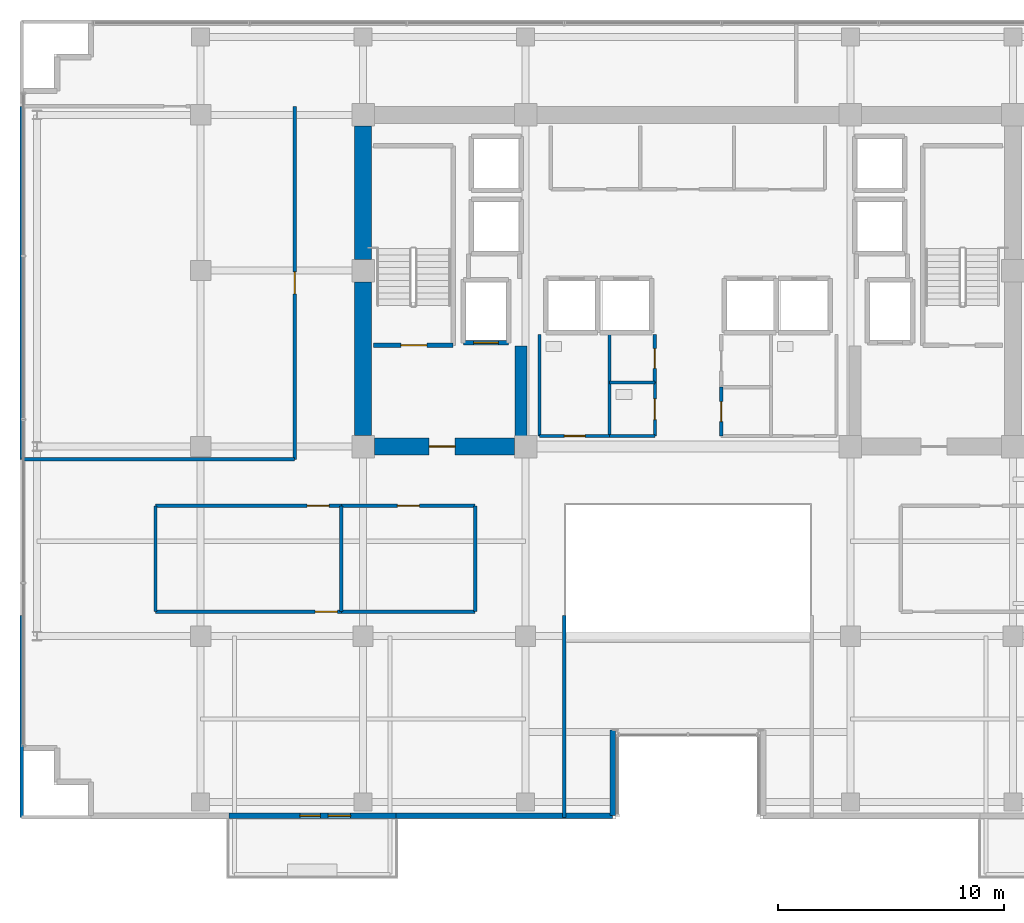
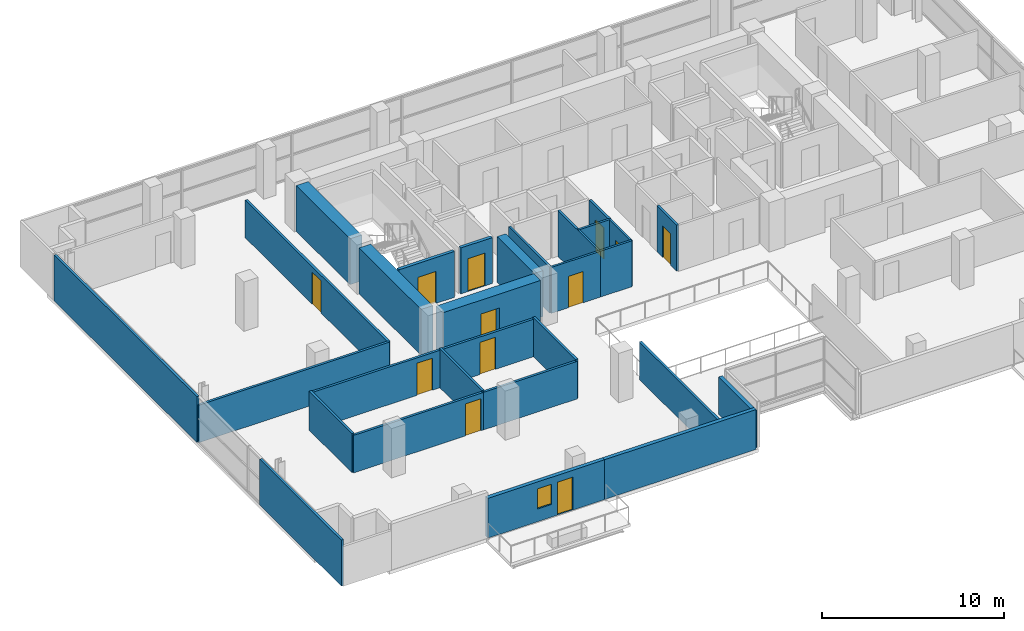
# One storey, part 19 of 25: 29 walls, 12 doors, 1 window, 13 openings.
"""IFC4 building model written with IfcOpenShell, lengths in metres."""

from ifc_helpers import new_model, si_unit, direction, frame, frame_2d, origin, place, context, subcontext, project, spatial, rectangle, extrude, source, transform, mapped, material, layer, layer_set, type_object, element, fill, save


model = new_model("IFC4")

# Units and contexts
model_context = context("Model", 3, precision=1e-05, world=origin(), true_north=direction((0.0, 1.0)))
body_context = subcontext(model_context, "Body", "Model", "MODEL_VIEW")
ifc_project = project(units=[si_unit("LENGTHUNIT", "METRE"), si_unit("AREAUNIT", "SQUARE_METRE"), si_unit("VOLUMEUNIT", "CUBIC_METRE"), si_unit("PLANEANGLEUNIT", "RADIAN"), si_unit("MASSUNIT", "GRAM", prefix="KILO")], contexts=[model_context])

# Site, building, storey
site_placement = place(None, origin())
site = spatial("IfcSite", under=ifc_project, at=site_placement, CompositionType="ELEMENT")
building_placement = place(site_placement, origin())
building = spatial("IfcBuilding", under=site, at=building_placement, Name="Zarnakvel Exchange Tower", CompositionType="ELEMENT")
storey_placement = place(building_placement, frame((0.0, 0.0, 93.39990234375)))
storey = spatial("IfcBuildingStorey", under=building, at=storey_placement, Name="L25", CompositionType="ELEMENT", Elevation=93.39990234375)

# Walls
ifc_material_1 = material(Name="Concrete C60/75", Category="concrete")
ifc_layer_1 = layer(ifc_material_1, 0.75)
ifc_layer_set_1 = layer_set([ifc_layer_1], Name="Concrete C60/75")
wall_type_1 = type_object("IfcWallType", Name="CW-C3", PredefinedType="SHEAR", material=ifc_layer_set_1)
wall_1_placement = place(storey_placement, frame((-14.39990234375, -0.699951171875, 0.0), z_axis=(0.0, 0.0, 1.0), x_axis=(0.0, 1.0, 0.0)))
element("IfcWall", 1, at=wall_1_placement, inside=storey, type_object=wall_type_1, Name="L25 Rear Core Shear Wall W1 (CW-C3)", PredefinedType="SHEAR", context=body_context, shape_type="SweptSolid", body=[
    extrude(rectangle(XDim=6.800048828125, YDim=0.75, at=frame_2d((3.39990234375, 0.0))), origin(), (0.0, 0.0, 1.0), 3.0751953125),
])
wall_2_placement = place(storey_placement, frame((-14.39990234375, 7.10009765625, 0.0), z_axis=(0.0, 0.0, 1.0), x_axis=(0.0, 1.0, 0.0)))
element("IfcWall", 2, at=wall_2_placement, inside=storey, type_object=wall_type_1, Name="L25 Rear Core Shear Wall W2 (CW-C3)", PredefinedType="SHEAR", context=body_context, shape_type="SweptSolid", body=[
    extrude(rectangle(XDim=5.89990234375, YDim=0.75, at=frame_2d((2.949951171875, 0.0))), origin(), (0.0, 0.0, 1.0), 3.0751953125),
])

# Wall, opening, door
wall_3_placement = place(storey_placement, frame((-7.699951171875, -1.199951171875, 0.0), z_axis=(0.0, 0.0, 1.0), x_axis=(-1.0, 0.0, 0.0)))
wall_3 = element("IfcWall", 3, at=wall_3_placement, inside=storey, type_object=wall_type_1, Name="L25 Rear Core Shear Wall SW (CW-C3)", PredefinedType="SHEAR", context=body_context, shape_type="SweptSolid", body=[
    extrude(rectangle(XDim=6.199951171875, YDim=0.75, at=frame_2d((3.10009765625, 0.0))), origin(), (0.0, 0.0, 1.0), 3.0751953125),
])
opening_1_placement = place(wall_3_placement, frame((2.625, 0.0, 0.0)))
opening_1 = element("IfcOpeningElement", 4, at=opening_1_placement, cuts=wall_3, Name="Opening D-L25-03", PredefinedType="OPENING", context=body_context, shape_type="SweptSolid", body=[
    extrude(rectangle(XDim=1.14990234375, YDim=2.14990234375, at=frame_2d((0.574951171875, 1.074951171875))), frame((0.0, 0.385009765625, 0.0), z_axis=(0.0, -1.0, 0.0), x_axis=(1.0, 0.0, 0.0)), (0.0, 0.0, 1.0), 0.77001953125),
])
ifc_material_2 = material(Name="Painted Galvanised Steel S355", Category="steel")
door_type_1 = type_object("IfcDoorType", Name="DT-04", OperationType="NOTDEFINED", PredefinedType="DOOR", material=ifc_material_2)
shared_shape_1 = source(origin(), body_context, "Body", "SweptSolid", [
    extrude(rectangle(XDim=1.14990234375, YDim=2.14990234375, at=frame_2d((0.574951171875, 1.074951171875))), frame((0.0, 0.02490234375, 0.0), z_axis=(0.0, -1.0, 0.0), x_axis=(1.0, 0.0, 0.0)), (0.0, 0.0, 1.0), 0.050048828125),
])
door_1_placement = place(opening_1_placement, origin())
door_1 = element("IfcDoor", 5, at=door_1_placement, inside=storey, type_object=door_type_1, Name="L25 Firefighting Lobby West Door D-L25-03", OperationType="SINGLE_SWING_RIGHT", OverallHeight=2.14990234375, OverallWidth=1.14990234375, PredefinedType="DOOR", context=body_context, shape_type="MappedRepresentation", body=[
    mapped(shared_shape_1, transform((0.0, 0.0, 0.0), x_axis=(1.0, 0.0, 0.0), y_axis=(0.0, 1.0, 0.0), z_axis=(0.0, 0.0, 1.0), scale=1.0)),
])
fill(opening_1, door_1)

# Wall
ifc_layer_2 = layer(ifc_material_1, 0.550048828125)
ifc_layer_set_2 = layer_set([ifc_layer_2], Name="Concrete C60/75")
wall_type_2 = type_object("IfcWallType", Name="CW-C4", PredefinedType="SHEAR", material=ifc_layer_set_2)
wall_4_placement = place(storey_placement, frame((-7.39990234375, -0.824951171875, 0.0), z_axis=(0.0, 0.0, 1.0), x_axis=(0.0, 1.0, 0.0)))
element("IfcWall", 6, at=wall_4_placement, inside=storey, type_object=wall_type_2, Name="L25 Rear Core Shear Wall IW (CW-C4)", PredefinedType="SHEAR", context=body_context, shape_type="SweptSolid", body=[
    extrude(rectangle(XDim=4.074951171875, YDim=0.550048828125, at=frame_2d((2.03759765625, 0.0))), origin(), (0.0, 0.0, 1.0), 3.0751953125),
])

# Wall, openings, door, window
ifc_material_3 = material(Name="Precast concrete C40/50", Category="concrete")
ifc_layer_3 = layer(ifc_material_3, 0.239990234375)
ifc_layer_set_3 = layer_set([ifc_layer_3], Name="Precast concrete C40/50")
wall_type_3 = type_object("IfcWallType", Name="EW-02", PredefinedType="SOLIDWALL", material=ifc_layer_set_3)
wall_5_placement = place(storey_placement, frame((-12.949951171875, -17.56005859375, 0.0), z_axis=(0.0, 0.0, 1.0), x_axis=(-1.0, 0.0, 0.0)))
wall_5 = element("IfcWall", 7, at=wall_5_placement, inside=storey, type_object=wall_type_3, Name="L25 Exterior Precast Spandrel Wall EW-BAL-L25-SW (EW-02)", PredefinedType="SOLIDWALL", context=body_context, shape_type="SweptSolid", body=[
    extrude(rectangle(XDim=7.400146484375, YDim=0.239990234375, at=frame_2d((3.7001953125, 0.0))), origin(), (0.0, 0.0, 1.0), 2.6650390625),
])
opening_2_placement = place(wall_5_placement, frame((1.998046875, 0.0, 0.0)))
opening_2 = element("IfcOpeningElement", 8, at=opening_2_placement, cuts=wall_5, Name="Opening BD-L25-01", PredefinedType="OPENING", context=body_context, shape_type="SweptSolid", body=[
    extrude(rectangle(XDim=1.0, YDim=2.199951171875, at=frame_2d((0.5, 1.10009765625))), frame((0.0, 0.1298828125, 0.0), z_axis=(0.0, -1.0, 0.0), x_axis=(1.0, 0.0, 0.0)), (0.0, 0.0, 1.0), 0.260009765625),
])
opening_3_placement = place(wall_5_placement, frame((3.347900390625, 0.0, 0.85009765625)))
opening_3 = element("IfcOpeningElement", 9, at=opening_3_placement, cuts=wall_5, Name="Opening WN-06", PredefinedType="OPENING", context=body_context, shape_type="SweptSolid", body=[
    extrude(rectangle(XDim=0.89990234375, YDim=1.35009765625, at=frame_2d((0.449951171875, 0.675048828125))), frame((0.0, 0.1298828125, 0.0), z_axis=(0.0, -1.0, 0.0), x_axis=(1.0, 0.0, 0.0)), (0.0, 0.0, 1.0), 0.260009765625),
])
ifc_material_4 = material(Name="Architectural Bronze Anodised Aluminium", Category="aluminium")
door_type_2 = type_object("IfcDoorType", Name="DT-09", OperationType="NOTDEFINED", PredefinedType="DOOR", material=ifc_material_4)
shared_shape_2 = source(origin(), body_context, "Body", "SweptSolid", [
    extrude(rectangle(XDim=1.0, YDim=2.199951171875, at=frame_2d((0.5, 1.10009765625))), frame((0.0, 0.02490234375, 0.0), z_axis=(0.0, -1.0, 0.0), x_axis=(1.0, 0.0, 0.0)), (0.0, 0.0, 1.0), 0.050048828125),
])
door_2_placement = place(opening_2_placement, origin())
door_2 = element("IfcDoor", 10, at=door_2_placement, inside=storey, type_object=door_type_2, Name="L25 Planted Loggia Balcony Door BD-L25-01", OperationType="SINGLE_SWING_LEFT", OverallHeight=2.199951171875, OverallWidth=1.0, PredefinedType="DOOR", context=body_context, shape_type="MappedRepresentation", body=[
    mapped(shared_shape_2, transform((0.0, 0.0, 0.0), x_axis=(1.0, 0.0, 0.0), y_axis=(0.0, 1.0, 0.0), z_axis=(0.0, 0.0, 1.0), scale=1.0)),
])
fill(opening_2, door_2)
ifc_material_5 = material(Name="Double Low-E Laminated Vision Glass", Category="glass")
window_type = type_object("IfcWindowType", Name="WN-06", PartitioningType="SINGLE_PANEL", PredefinedType="WINDOW", material=ifc_material_5)
shared_shape_3 = source(origin(), body_context, "Body", "SweptSolid", [
    extrude(rectangle(XDim=0.89990234375, YDim=1.35009765625, at=frame_2d((0.449951171875, 0.675048828125))), frame((0.0, 0.030029296875, 0.0), z_axis=(0.0, -1.0, 0.0), x_axis=(1.0, 0.0, 0.0)), (0.0, 0.0, 1.0), 0.06005859375),
])
window_placement = place(opening_3_placement, origin())
window = element("IfcWindow", 11, at=window_placement, inside=storey, type_object=window_type, Name="L25 Loggia Daylight Window (WN-06)", OverallHeight=1.35009765625, OverallWidth=0.89990234375, PartitioningType="SINGLE_PANEL", PredefinedType="WINDOW", context=body_context, shape_type="MappedRepresentation", body=[
    mapped(shared_shape_3, transform((0.0, 0.0, 0.0), x_axis=(1.0, 0.0, 0.0), y_axis=(0.0, 1.0, 0.0), z_axis=(0.0, 0.0, 1.0), scale=1.0)),
])
fill(opening_3, window)

# Walls
wall_6_placement = place(storey_placement, frame((-3.340087890625, -17.56005859375, 0.0), z_axis=(0.0, 0.0, 1.0), x_axis=(0.0, 1.0, 0.0)))
element("IfcWall", 12, at=wall_6_placement, inside=storey, type_object=wall_type_3, Name="L25 Exterior Precast Spandrel Wall EWC-L25-20 (EW-02)", PredefinedType="SOLIDWALL", context=body_context, shape_type="SweptSolid", body=[
    extrude(rectangle(XDim=3.800048828125, YDim=0.239990234375, at=frame_2d((1.89990234375, 0.0))), origin(), (0.0, 0.0, 1.0), 2.51513671875),
])
wall_7_placement = place(storey_placement, frame((-12.949951171875, -17.56005859375, 0.0), z_axis=(0.0, 0.0, 1.0), x_axis=(1.0, 0.0, 0.0)))
element("IfcWall", 13, at=wall_7_placement, inside=storey, type_object=wall_type_3, Name="L25 Exterior Precast Spandrel Wall EWC-L25-21 (EW-02)", PredefinedType="SOLIDWALL", context=body_context, shape_type="SweptSolid", body=[
    extrude(rectangle(XDim=9.60986328125, YDim=0.239990234375, at=frame_2d((4.804931640625, 0.0))), origin(), (0.0, 0.0, 1.0), 2.6650390625),
])

# Wall, opening, door
ifc_material_6 = material(Name="Fire-Rated Gypsum Stud Partition", Category="gypsum")
ifc_layer_4 = layer(ifc_material_6, 0.14990234375)
ifc_layer_set_4 = layer_set([ifc_layer_4], Name="Fire-Rated Gypsum Stud Partition")
wall_type_4 = type_object("IfcWallType", Name="PT-01", PredefinedType="PARTITIONING", material=ifc_layer_set_4)
wall_8_placement = place(storey_placement, frame((-1.469970703125, 3.760009765625, 0.0), z_axis=(0.0, 0.0, 1.0), x_axis=(0.0, -1.0, 0.0)))
wall_8 = element("IfcWall", 14, at=wall_8_placement, inside=storey, type_object=wall_type_4, Name="L25 Partition Wall PWALL-L25-024 (PT-01)", PredefinedType="PARTITIONING", context=body_context, shape_type="SweptSolid", body=[
    extrude(rectangle(XDim=2.130126953125, YDim=0.14990234375, at=frame_2d((1.06494140625, 0.0))), origin(), (0.0, 0.0, 1.0), 3.0751953125),
])
opening_4_placement = place(wall_8_placement, frame((0.6201171875, 0.0, 0.0)))
opening_4 = element("IfcOpeningElement", 15, at=opening_4_placement, cuts=wall_8, Name="Opening D-L25-10", PredefinedType="OPENING", context=body_context, shape_type="SweptSolid", body=[
    extrude(rectangle(XDim=0.8798828125, YDim=2.10009765625, at=frame_2d((0.43994140625, 1.050048828125))), frame((0.0, 0.0849609375, 0.0), z_axis=(0.0, -1.0, 0.0), x_axis=(1.0, 0.0, 0.0)), (0.0, 0.0, 1.0), 0.169921875),
])
door_type_3 = type_object("IfcDoorType", Name="DT-08", OperationType="NOTDEFINED", PredefinedType="DOOR", material=ifc_material_2)
shared_shape_4 = source(origin(), body_context, "Body", "SweptSolid", [
    extrude(rectangle(XDim=0.8798828125, YDim=2.10009765625, at=frame_2d((0.43994140625, 1.050048828125))), frame((0.0, 0.02490234375, 0.0), z_axis=(0.0, -1.0, 0.0), x_axis=(1.0, 0.0, 0.0)), (0.0, 0.0, 1.0), 0.050048828125),
])
door_3_placement = place(opening_4_placement, origin())
door_3 = element("IfcDoor", 16, at=door_3_placement, inside=storey, type_object=door_type_3, Name="L25 Core Comms Room Door D-L25-10", OperationType="SINGLE_SWING_LEFT", OverallHeight=2.10009765625, OverallWidth=0.8798828125, PredefinedType="DOOR", context=body_context, shape_type="MappedRepresentation", body=[
    mapped(shared_shape_4, transform((0.0, 0.0, 0.0), x_axis=(1.0, 0.0, 0.0), y_axis=(0.0, 1.0, 0.0), z_axis=(0.0, 0.0, 1.0), scale=1.0)),
])
fill(opening_4, door_3)

wall_9_placement = place(storey_placement, frame((1.469970703125, -0.72998046875, 0.0), z_axis=(0.0, 0.0, 1.0), x_axis=(0.0, 1.0, 0.0)))
wall_9 = element("IfcWall", 17, at=wall_9_placement, inside=storey, type_object=wall_type_4, Name="L25 Partition Wall PWALL-L25-027 (PT-01)", PredefinedType="PARTITIONING", context=body_context, shape_type="SweptSolid", body=[
    extrude(rectangle(XDim=2.159912109375, YDim=0.14990234375, at=frame_2d((1.080078125, 0.0))), origin(), (0.0, 0.0, 1.0), 3.0751953125),
])
opening_5_placement = place(wall_9_placement, frame((0.639892578125, 0.0, 0.0)))
opening_5 = element("IfcOpeningElement", 18, at=opening_5_placement, cuts=wall_9, Name="Opening D-L25-11", PredefinedType="OPENING", context=body_context, shape_type="SweptSolid", body=[
    extrude(rectangle(XDim=0.8798828125, YDim=2.10009765625, at=frame_2d((0.43994140625, 1.050048828125))), frame((0.0, 0.0849609375, 0.0), z_axis=(0.0, -1.0, 0.0), x_axis=(1.0, 0.0, 0.0)), (0.0, 0.0, 1.0), 0.169921875),
])
door_4_placement = place(opening_5_placement, origin())
door_4 = element("IfcDoor", 19, at=door_4_placement, inside=storey, type_object=door_type_3, Name="L25 Janitor Store Door D-L25-11", OperationType="SINGLE_SWING_RIGHT", OverallHeight=2.10009765625, OverallWidth=0.8798828125, PredefinedType="DOOR", context=body_context, shape_type="MappedRepresentation", body=[
    mapped(shared_shape_4, transform((0.0, 0.0, 0.0), x_axis=(1.0, 0.0, 0.0), y_axis=(0.0, 1.0, 0.0), z_axis=(0.0, 0.0, 1.0), scale=1.0)),
])
fill(opening_5, door_4)

wall_10_placement = place(storey_placement, frame((-15.360595703125, -8.52001953125, 0.0), z_axis=(0.0, 0.0, 1.0), x_axis=(-1.0, 0.0, 0.0)))
wall_10 = element("IfcWall", 20, at=wall_10_placement, inside=storey, type_object=wall_type_4, Name="L25 Partition Wall PWALL-L25-033 (PT-01)", PredefinedType="PARTITIONING", context=body_context, shape_type="SweptSolid", body=[
    extrude(rectangle(XDim=8.23876953125, YDim=0.14990234375, at=frame_2d((4.119384765625, 0.0))), origin(), (0.0, 0.0, 1.0), 2.51513671875),
])
opening_6_placement = place(wall_10_placement, frame((0.179931640625, 0.0, 0.0)))
opening_6 = element("IfcOpeningElement", 21, at=opening_6_placement, cuts=wall_10, Name="Opening D-L25-16", PredefinedType="OPENING", context=body_context, shape_type="SweptSolid", body=[
    extrude(rectangle(XDim=0.97998046875, YDim=2.14990234375, at=frame_2d((0.489990234375, 1.074951171875))), frame((0.0, 0.0849609375, 0.0), z_axis=(0.0, -1.0, 0.0), x_axis=(1.0, 0.0, 0.0)), (0.0, 0.0, 1.0), 0.169921875),
])
ifc_material_7 = material(Name="Timber Acoustic Veneer", Category="wood")
door_type_4 = type_object("IfcDoorType", Name="DT-05", OperationType="NOTDEFINED", PredefinedType="DOOR", material=ifc_material_7)
shared_shape_5 = source(origin(), body_context, "Body", "SweptSolid", [
    extrude(rectangle(XDim=0.97998046875, YDim=2.14990234375, at=frame_2d((0.489990234375, 1.074951171875))), frame((0.0, 0.02490234375, 0.0), z_axis=(0.0, -1.0, 0.0), x_axis=(1.0, 0.0, 0.0)), (0.0, 0.0, 1.0), 0.050048828125),
])
door_5_placement = place(opening_6_placement, origin())
door_5 = element("IfcDoor", 22, at=door_5_placement, inside=storey, type_object=door_type_4, Name="L25 Institutional Dealing Room Door D-L25-16", OperationType="SINGLE_SWING_LEFT", OverallHeight=2.14990234375, OverallWidth=0.97998046875, PredefinedType="DOOR", context=body_context, shape_type="MappedRepresentation", body=[
    mapped(shared_shape_5, transform((0.0, 0.0, 0.0), x_axis=(1.0, 0.0, 0.0), y_axis=(0.0, 1.0, 0.0), z_axis=(0.0, 0.0, 1.0), scale=1.0)),
])
fill(opening_6, door_5)

wall_11_placement = place(storey_placement, frame((-23.599365234375, -3.830078125, 0.0), z_axis=(0.0, 0.0, 1.0), x_axis=(1.0, 0.0, 0.0)))
wall_11 = element("IfcWall", 23, at=wall_11_placement, inside=storey, type_object=wall_type_4, Name="L25 Partition Wall PWALL-L25-034 (PT-01)", PredefinedType="PARTITIONING", context=body_context, shape_type="SweptSolid", body=[
    extrude(rectangle(XDim=8.23876953125, YDim=0.14990234375, at=frame_2d((4.119384765625, 0.0))), origin(), (0.0, 0.0, 1.0), 2.51513671875),
])
opening_7_placement = place(wall_11_placement, frame((6.71435546875, 0.0, 0.0)))
opening_7 = element("IfcOpeningElement", 24, at=opening_7_placement, cuts=wall_11, Name="Opening D-L25-14", PredefinedType="OPENING", context=body_context, shape_type="SweptSolid", body=[
    extrude(rectangle(XDim=0.97998046875, YDim=2.14990234375, at=frame_2d((0.489990234375, 1.074951171875))), frame((0.0, 0.0849609375, 0.0), z_axis=(0.0, -1.0, 0.0), x_axis=(1.0, 0.0, 0.0)), (0.0, 0.0, 1.0), 0.169921875),
])
door_6_placement = place(opening_7_placement, origin())
door_6 = element("IfcDoor", 25, at=door_6_placement, inside=storey, type_object=door_type_4, Name="L25 Clearing Office Door D-L25-14", OperationType="SINGLE_SWING_LEFT", OverallHeight=2.14990234375, OverallWidth=0.97998046875, PredefinedType="DOOR", context=body_context, shape_type="MappedRepresentation", body=[
    mapped(shared_shape_5, transform((0.0, 0.0, 0.0), x_axis=(1.0, 0.0, 0.0), y_axis=(0.0, 1.0, 0.0), z_axis=(0.0, 0.0, 1.0), scale=1.0)),
])
fill(opening_7, door_6)

# Walls
for number, where, z_axis, x_axis, name in (
    (26, (-23.599365234375, -8.52001953125, 0.0), (0.0, 0.0, 1.0), (0.0, 1.0, 0.0), "L25 Partition Wall PWALL-L25-035 (PT-01)"),
    (27, (-15.360595703125, -3.830078125, 0.0), (0.0, 0.0, 1.0), (0.0, -1.0, 0.0), "L25 Partition Wall PWALL-L25-036 (PT-01)"),
):
    element("IfcWall", number, at=place(storey_placement, frame(where, z_axis=z_axis, x_axis=x_axis)), inside=storey, type_object=wall_type_4, Name=name, PredefinedType="PARTITIONING", context=body_context, shape_type="SweptSolid", body=[
        extrude(rectangle(XDim=4.68994140625, YDim=0.14990234375, at=frame_2d((2.344970703125, 0.0))), origin(), (0.0, 0.0, 1.0), 2.614990234375),
    ])
wall_12_placement = place(storey_placement, frame((-9.429931640625, -8.52001953125, 0.0), z_axis=(0.0, 0.0, 1.0), x_axis=(-1.0, 0.0, 0.0)))
element("IfcWall", 28, at=wall_12_placement, inside=storey, type_object=wall_type_4, Name="L25 Partition Wall PWALL-L25-037 (PT-01)", PredefinedType="PARTITIONING", context=body_context, shape_type="SweptSolid", body=[
    extrude(rectangle(XDim=5.9306640625, YDim=0.14990234375, at=frame_2d((2.96533203125, 0.0))), origin(), (0.0, 0.0, 1.0), 2.51513671875),
])

# Wall, opening, door
wall_13_placement = place(storey_placement, frame((-15.360595703125, -3.830078125, 0.0), z_axis=(0.0, 0.0, 1.0), x_axis=(1.0, 0.0, 0.0)))
wall_13 = element("IfcWall", 29, at=wall_13_placement, inside=storey, type_object=wall_type_4, Name="L25 Partition Wall PWALL-L25-038 (PT-01)", PredefinedType="PARTITIONING", context=body_context, shape_type="SweptSolid", body=[
    extrude(rectangle(XDim=5.9306640625, YDim=0.14990234375, at=frame_2d((2.96533203125, 0.0))), origin(), (0.0, 0.0, 1.0), 2.51513671875),
])
opening_8_placement = place(wall_13_placement, frame((2.4755859375, 0.0, 0.0)))
opening_8 = element("IfcOpeningElement", 30, at=opening_8_placement, cuts=wall_13, Name="Opening D-L25-15", PredefinedType="OPENING", context=body_context, shape_type="SweptSolid", body=[
    extrude(rectangle(XDim=0.97998046875, YDim=2.14990234375, at=frame_2d((0.489990234375, 1.074951171875))), frame((0.0, 0.0849609375, 0.0), z_axis=(0.0, -1.0, 0.0), x_axis=(1.0, 0.0, 0.0)), (0.0, 0.0, 1.0), 0.169921875),
])
door_7_placement = place(opening_8_placement, origin())
door_7 = element("IfcDoor", 31, at=door_7_placement, inside=storey, type_object=door_type_4, Name="L25 Executive Office Door D-L25-15", OperationType="SINGLE_SWING_RIGHT", OverallHeight=2.14990234375, OverallWidth=0.97998046875, PredefinedType="DOOR", context=body_context, shape_type="MappedRepresentation", body=[
    mapped(shared_shape_5, transform((0.0, 0.0, 0.0), x_axis=(1.0, 0.0, 0.0), y_axis=(0.0, 1.0, 0.0), z_axis=(0.0, 0.0, 1.0), scale=1.0)),
])
fill(opening_8, door_7)

# Walls
wall_14_placement = place(storey_placement, frame((-9.429931640625, -3.830078125, 0.0), z_axis=(0.0, 0.0, 1.0), x_axis=(0.0, -1.0, 0.0)))
element("IfcWall", 32, at=wall_14_placement, inside=storey, type_object=wall_type_4, Name="L25 Partition Wall PWALL-L25-039 (PT-01)", PredefinedType="PARTITIONING", context=body_context, shape_type="SweptSolid", body=[
    extrude(rectangle(XDim=4.68994140625, YDim=0.14990234375, at=frame_2d((2.344970703125, 0.0))), origin(), (0.0, 0.0, 1.0), 2.614990234375),
])
wall_15_placement = place(storey_placement, frame((-29.530029296875, -17.6298828125, 0.0), z_axis=(0.0, 0.0, 1.0), x_axis=(0.0, 1.0, 0.0)))
element("IfcWall", 33, at=wall_15_placement, inside=storey, type_object=wall_type_4, Name="L25 Partition Wall PWALL-L25-041 (PT-01)", PredefinedType="PARTITIONING", context=body_context, shape_type="SweptSolid", body=[
    extrude(rectangle(XDim=8.949951171875, YDim=0.14990234375, at=frame_2d((4.47509765625, 0.0))), origin(), (0.0, 0.0, 1.0), 3.0751953125),
])
wall_16_placement = place(storey_placement, frame((-5.47998046875, -8.679931640625, 0.0), z_axis=(0.0, 0.0, 1.0), x_axis=(0.0, -1.0, 0.0)))
element("IfcWall", 34, at=wall_16_placement, inside=storey, type_object=wall_type_4, Name="L25 Partition Wall PWALL-L25-042 (PT-01)", PredefinedType="PARTITIONING", context=body_context, shape_type="SweptSolid", body=[
    extrude(rectangle(XDim=8.949951171875, YDim=0.14990234375, at=frame_2d((4.47509765625, 0.0))), origin(), (0.0, 0.0, 1.0), 2.51513671875),
])
wall_17_placement = place(storey_placement, frame((-17.429931640625, -1.77001953125, 0.0), z_axis=(0.0, 0.0, 1.0), x_axis=(-1.0, 0.0, 0.0)))
element("IfcWall", 35, at=wall_17_placement, inside=storey, type_object=wall_type_4, Name="L25 Partition Wall PWALL-L25-050 (PT-01)", PredefinedType="PARTITIONING", context=body_context, shape_type="SweptSolid", body=[
    extrude(rectangle(XDim=12.10009765625, YDim=0.14990234375, at=frame_2d((6.050048828125, 0.0))), origin(), (0.0, 0.0, 1.0), 2.51513671875),
])
wall_18_placement = place(storey_placement, frame((-29.530029296875, -1.77001953125, 0.0), z_axis=(0.0, 0.0, 1.0), x_axis=(0.0, 1.0, 0.0)))
element("IfcWall", 36, at=wall_18_placement, inside=storey, type_object=wall_type_4, Name="L25 Partition Wall PWALL-L25-052 (PT-01)", PredefinedType="PARTITIONING", context=body_context, shape_type="SweptSolid", body=[
    extrude(rectangle(XDim=15.64990234375, YDim=0.14990234375, at=frame_2d((7.824951171875, 0.0))), origin(), (0.0, 0.0, 1.0), 3.0751953125),
])

# Wall, opening, door
wall_19_placement = place(storey_placement, frame((-17.429931640625, 13.8798828125, 0.0), z_axis=(0.0, 0.0, 1.0), x_axis=(0.0, -1.0, 0.0)))
wall_19 = element("IfcWall", 37, at=wall_19_placement, inside=storey, type_object=wall_type_4, Name="L25 Partition Wall PWALL-L25-053 (PT-01)", PredefinedType="PARTITIONING", context=body_context, shape_type="SweptSolid", body=[
    extrude(rectangle(XDim=15.64990234375, YDim=0.14990234375, at=frame_2d((7.824951171875, 0.0))), origin(), (0.0, 0.0, 1.0), 2.51513671875),
])
opening_9_placement = place(wall_19_placement, frame((7.3349609375, 0.0, 0.0)))
opening_9 = element("IfcOpeningElement", 38, at=opening_9_placement, cuts=wall_19, Name="Opening D-L25-19", PredefinedType="OPENING", context=body_context, shape_type="SweptSolid", body=[
    extrude(rectangle(XDim=0.97998046875, YDim=2.14990234375, at=frame_2d((0.489990234375, 1.074951171875))), frame((0.0, 0.0849609375, 0.0), z_axis=(0.0, -1.0, 0.0), x_axis=(1.0, 0.0, 0.0)), (0.0, 0.0, 1.0), 0.169921875),
])
door_8_placement = place(opening_9_placement, origin())
door_8 = element("IfcDoor", 39, at=door_8_placement, inside=storey, type_object=door_type_4, Name="L25 Meeting Room Door D-L25-19", OperationType="SINGLE_SWING_RIGHT", OverallHeight=2.14990234375, OverallWidth=0.97998046875, PredefinedType="DOOR", context=body_context, shape_type="MappedRepresentation", body=[
    mapped(shared_shape_5, transform((0.0, 0.0, 0.0), x_axis=(1.0, 0.0, 0.0), y_axis=(0.0, 1.0, 0.0), z_axis=(0.0, 0.0, 1.0), scale=1.0)),
])
fill(opening_9, door_8)

ifc_material_8 = material(Name="Moisture-Resistant Tile-Faced Partition", Category="gypsum")
ifc_layer_5 = layer(ifc_material_8, 0.135009765625)
ifc_layer_set_5 = layer_set([ifc_layer_5], Name="Moisture-Resistant Tile-Faced Partition")
wall_type_5 = type_object("IfcWallType", Name="PT-03", PredefinedType="PARTITIONING", material=ifc_layer_set_5)
wall_20_placement = place(storey_placement, frame((-3.469970703125, -0.72998046875, 0.0), z_axis=(0.0, 0.0, 1.0), x_axis=(-1.0, 0.0, 0.0)))
wall_20 = element("IfcWall", 40, at=wall_20_placement, inside=storey, type_object=wall_type_5, Name="L25 Partition Wall PWALL-L25-018 (PT-03)", PredefinedType="PARTITIONING", context=body_context, shape_type="SweptSolid", body=[
    extrude(rectangle(XDim=3.110107421875, YDim=0.135009765625, at=frame_2d((1.55517578125, 0.0))), origin(), (0.0, 0.0, 1.0), 3.0751953125),
])
opening_10_placement = place(wall_20_placement, frame((1.090087890625, 0.0, 0.0)))
opening_10 = element("IfcOpeningElement", 41, at=opening_10_placement, cuts=wall_20, Name="Opening D-L25-08", PredefinedType="OPENING", context=body_context, shape_type="SweptSolid", body=[
    extrude(rectangle(XDim=0.919921875, YDim=2.10009765625, at=frame_2d((0.4599609375, 1.050048828125))), frame((0.0, 0.077392578125, 0.0), z_axis=(0.0, -1.0, 0.0), x_axis=(1.0, 0.0, 0.0)), (0.0, 0.0, 1.0), 0.155029296875),
])
ifc_material_9 = material(Name="Moisture-Resistant Laminate Timber", Category="wood")
door_type_5 = type_object("IfcDoorType", Name="DT-07", OperationType="NOTDEFINED", PredefinedType="DOOR", material=ifc_material_9)
shared_shape_6 = source(origin(), body_context, "Body", "SweptSolid", [
    extrude(rectangle(XDim=0.919921875, YDim=2.10009765625, at=frame_2d((0.4599609375, 1.050048828125))), frame((0.0, 0.02490234375, 0.0), z_axis=(0.0, -1.0, 0.0), x_axis=(1.0, 0.0, 0.0)), (0.0, 0.0, 1.0), 0.050048828125),
])
door_9_placement = place(opening_10_placement, origin())
door_9 = element("IfcDoor", 42, at=door_9_placement, inside=storey, type_object=door_type_5, Name="L25 Male Toilet Door D-L25-08", OperationType="SINGLE_SWING_LEFT", OverallHeight=2.10009765625, OverallWidth=0.919921875, PredefinedType="DOOR", context=body_context, shape_type="MappedRepresentation", body=[
    mapped(shared_shape_6, transform((0.0, 0.0, 0.0), x_axis=(1.0, 0.0, 0.0), y_axis=(0.0, 1.0, 0.0), z_axis=(0.0, 0.0, 1.0), scale=1.0)),
])
fill(opening_10, door_9)

# Walls
for number, where, z_axis, x_axis, name in (
    (43, (-6.580078125, -0.72998046875, 0.0), (0.0, 0.0, 1.0), (0.0, 1.0, 0.0), "L25 Partition Wall PWALL-L25-019 (PT-03)"),
    (44, (-3.469970703125, 3.760009765625, 0.0), (0.0, 0.0, 1.0), (0.0, -1.0, 0.0), "L25 Partition Wall PWALL-L25-020 (PT-03)"),
):
    element("IfcWall", number, at=place(storey_placement, frame(where, z_axis=z_axis, x_axis=x_axis)), inside=storey, type_object=wall_type_5, Name=name, PredefinedType="PARTITIONING", context=body_context, shape_type="SweptSolid", body=[
        extrude(rectangle(XDim=4.489990234375, YDim=0.135009765625, at=frame_2d((2.2451171875, 0.0))), origin(), (0.0, 0.0, 1.0), 3.0751953125),
    ])
for number, where, z_axis, x_axis, name in (
    (45, (-1.469970703125, -0.72998046875, 0.0), (0.0, 0.0, 1.0), (-1.0, 0.0, 0.0), "L25 Partition Wall PWALL-L25-021 (PT-03)"),
    (46, (-3.469970703125, 1.6298828125, 0.0), (0.0, 0.0, 1.0), (1.0, 0.0, 0.0), "L25 Partition Wall PWALL-L25-022 (PT-03)"),
):
    element("IfcWall", number, at=place(storey_placement, frame(where, z_axis=z_axis, x_axis=x_axis)), inside=storey, type_object=wall_type_5, Name=name, PredefinedType="PARTITIONING", context=body_context, shape_type="SweptSolid", body=[
        extrude(rectangle(XDim=2.0, YDim=0.135009765625, at=frame_2d((1.0, 0.0))), origin(), (0.0, 0.0, 1.0), 3.0751953125),
    ])

# Wall, opening, door
wall_21_placement = place(storey_placement, frame((-1.469970703125, 1.6298828125, 0.0), z_axis=(0.0, 0.0, 1.0), x_axis=(0.0, -1.0, 0.0)))
wall_21 = element("IfcWall", 47, at=wall_21_placement, inside=storey, type_object=wall_type_5, Name="L25 Partition Wall PWALL-L25-023 (PT-03)", PredefinedType="PARTITIONING", context=body_context, shape_type="SweptSolid", body=[
    extrude(rectangle(XDim=2.35986328125, YDim=0.135009765625, at=frame_2d((1.179931640625, 0.0))), origin(), (0.0, 0.0, 1.0), 3.0751953125),
])
opening_11_placement = place(wall_21_placement, frame((0.719970703125, 0.0, 0.0)))
opening_11 = element("IfcOpeningElement", 48, at=opening_11_placement, cuts=wall_21, Name="Opening D-L25-09", PredefinedType="OPENING", context=body_context, shape_type="SweptSolid", body=[
    extrude(rectangle(XDim=0.919921875, YDim=2.10009765625, at=frame_2d((0.4599609375, 1.050048828125))), frame((0.0, 0.077392578125, 0.0), z_axis=(0.0, -1.0, 0.0), x_axis=(1.0, 0.0, 0.0)), (0.0, 0.0, 1.0), 0.155029296875),
])
door_10_placement = place(opening_11_placement, origin())
door_10 = element("IfcDoor", 49, at=door_10_placement, inside=storey, type_object=door_type_5, Name="L25 Accessible Toilet Door D-L25-09", OperationType="SINGLE_SWING_RIGHT", OverallHeight=2.10009765625, OverallWidth=0.919921875, PredefinedType="DOOR", context=body_context, shape_type="MappedRepresentation", body=[
    mapped(shared_shape_6, transform((0.0, 0.0, 0.0), x_axis=(1.0, 0.0, 0.0), y_axis=(0.0, 1.0, 0.0), z_axis=(0.0, 0.0, 1.0), scale=1.0)),
])
fill(opening_11, door_10)

ifc_material_10 = material(Name="Concrete C40/50", Category="concrete")
ifc_layer_6 = layer(ifc_material_10, 0.199951171875)
ifc_layer_set_6 = layer_set([ifc_layer_6], Name="Concrete C40/50")
wall_type_6 = type_object("IfcWallType", Name="SW-01", PredefinedType="SOLIDWALL", material=ifc_layer_set_6)
wall_22_placement = place(storey_placement, frame((-7.949951171875, 3.39990234375, 0.0), z_axis=(0.0, 0.0, 1.0), x_axis=(-1.0, 0.0, 0.0)))
wall_22 = element("IfcWall", 50, at=wall_22_placement, inside=storey, type_object=wall_type_6, Name="L25 FL-01 Hoistway Wall South", PredefinedType="SOLIDWALL", context=body_context, shape_type="SweptSolid", body=[
    extrude(rectangle(XDim=2.0, YDim=0.199951171875, at=frame_2d((1.0, 0.0))), origin(), (0.0, 0.0, 1.0), 3.0751953125),
])
opening_12_placement = place(wall_22_placement, frame((0.449951171875, 0.0, 0.0)))
opening_12 = element("IfcOpeningElement", 51, at=opening_12_placement, cuts=wall_22, Name="Opening LD-FL-01-L25", PredefinedType="OPENING", context=body_context, shape_type="SweptSolid", body=[
    extrude(rectangle(XDim=1.10009765625, YDim=2.199951171875, at=frame_2d((0.550048828125, 1.10009765625))), frame((0.0, 0.10986328125, 0.0), z_axis=(0.0, -1.0, 0.0), x_axis=(1.0, 0.0, 0.0)), (0.0, 0.0, 1.0), 0.219970703125),
])
ifc_material_11 = material(Name="Brushed Stainless Steel", Category="steel")
door_type_6 = type_object("IfcDoorType", Name="LDT-01", OperationType="NOTDEFINED", PredefinedType="DOOR", material=ifc_material_11)
shared_shape_7 = source(origin(), body_context, "Body", "SweptSolid", [
    extrude(rectangle(XDim=1.10009765625, YDim=2.199951171875, at=frame_2d((0.550048828125, 1.10009765625))), frame((0.0, 0.02490234375, 0.0), z_axis=(0.0, -1.0, 0.0), x_axis=(1.0, 0.0, 0.0)), (0.0, 0.0, 1.0), 0.050048828125),
])
door_11_placement = place(opening_12_placement, origin())
door_11 = element("IfcDoor", 52, at=door_11_placement, inside=storey, type_object=door_type_6, Name="L25 FL-01 Lift Landing Door LD-FL-01-L25", OperationType="DOUBLE_DOOR_SLIDING", OverallHeight=2.199951171875, OverallWidth=1.10009765625, PredefinedType="DOOR", context=body_context, shape_type="MappedRepresentation", body=[
    mapped(shared_shape_7, transform((0.0, 0.0, 0.0), x_axis=(1.0, 0.0, 0.0), y_axis=(0.0, 1.0, 0.0), z_axis=(0.0, 0.0, 1.0), scale=1.0)),
])
fill(opening_12, door_11)

ifc_layer_7 = layer(ifc_material_10, 0.199951171875)
ifc_layer_set_7 = layer_set([ifc_layer_7], Name="Concrete C40/50")
wall_type_7 = type_object("IfcWallType", Name="SW-02", PredefinedType="SOLIDWALL", material=ifc_layer_set_7)
wall_23_placement = place(storey_placement, frame((-10.409912109375, 3.2900390625, 0.0), z_axis=(0.0, 0.0, 1.0), x_axis=(-1.0, 0.0, 0.0)))
wall_23 = element("IfcWall", 53, at=wall_23_placement, inside=storey, type_object=wall_type_7, Name="L25 Stairwell Core Wall PWALL-L25-001 (SW-02)", PredefinedType="SOLIDWALL", context=body_context, shape_type="SweptSolid", body=[
    extrude(rectangle(XDim=3.52001953125, YDim=0.199951171875, at=frame_2d((1.760009765625, 0.0))), origin(), (0.0, 0.0, 1.0), 3.0751953125),
])
opening_13_placement = place(wall_23_placement, frame((1.1650390625, 0.0, 0.0)))
opening_13 = element("IfcOpeningElement", 54, at=opening_13_placement, cuts=wall_23, Name="Opening D-L25-01", PredefinedType="OPENING", context=body_context, shape_type="SweptSolid", body=[
    extrude(rectangle(XDim=1.14990234375, YDim=2.14990234375, at=frame_2d((0.574951171875, 1.074951171875))), frame((0.0, 0.10986328125, 0.0), z_axis=(0.0, -1.0, 0.0), x_axis=(1.0, 0.0, 0.0)), (0.0, 0.0, 1.0), 0.219970703125),
])
door_12_placement = place(opening_13_placement, origin())
door_12 = element("IfcDoor", 55, at=door_12_placement, inside=storey, type_object=door_type_1, Name="L25 Stairwell ST-01 Door D-L25-01", OperationType="SINGLE_SWING_RIGHT", OverallHeight=2.14990234375, OverallWidth=1.14990234375, PredefinedType="DOOR", context=body_context, shape_type="MappedRepresentation", body=[
    mapped(shared_shape_1, transform((0.0, 0.0, 0.0), x_axis=(1.0, 0.0, 0.0), y_axis=(0.0, 1.0, 0.0), z_axis=(0.0, 0.0, 1.0), scale=1.0)),
])
fill(opening_13, door_12)

save(model, "model.ifc")
